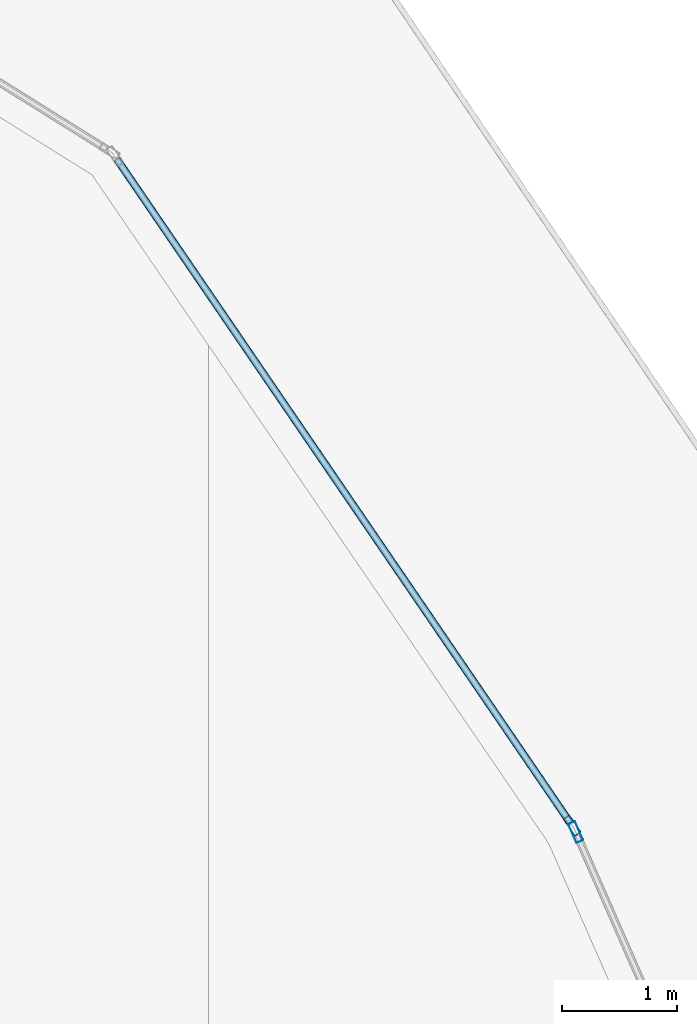
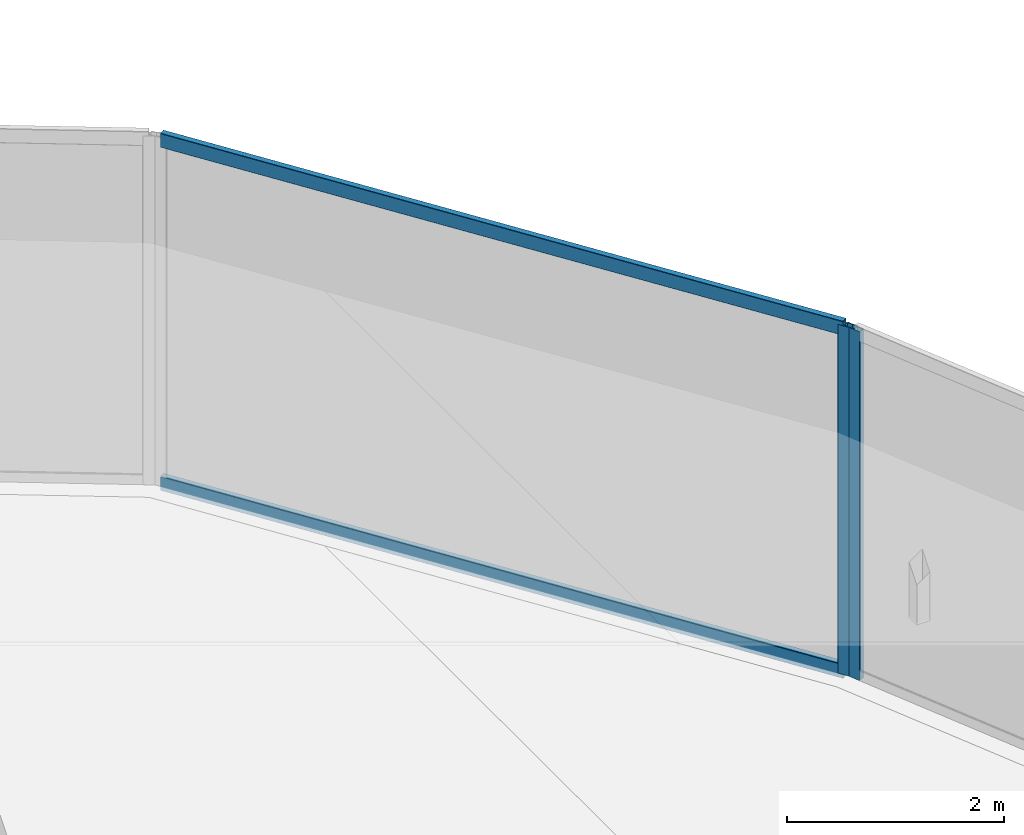
# One storey, part 24 of 45: 4 members, 2 elements without a shape of their own.
"""IFC4 building model written with IfcOpenShell, lengths in metres."""

from ifc_helpers import new_model, si_unit, direction, frame, origin, origin_2d, place, context, subcontext, project, spatial, hollow_rectangle, extrude, material, layer, layer_set, material_profile, profile_set, type_object, element, aggregate, save


model = new_model("IFC4")

# Units and contexts
model_context = context("Model", 3, precision=1e-05, world=origin(), true_north=direction((0.0, 1.0)))
body_context = subcontext(model_context, "Body", "Model", "MODEL_VIEW")
ifc_project = project(units=[si_unit("LENGTHUNIT", "METRE"), si_unit("AREAUNIT", "SQUARE_METRE"), si_unit("VOLUMEUNIT", "CUBIC_METRE"), si_unit("PLANEANGLEUNIT", "RADIAN"), si_unit("MASSUNIT", "GRAM", prefix="KILO")], contexts=[model_context])

# Site, building, storey
site_placement = place(None, origin())
site = spatial("IfcSite", under=ifc_project, at=site_placement, CompositionType="ELEMENT")
building_placement = place(site_placement, origin())
building = spatial("IfcBuilding", under=site, at=building_placement, Name="Qorvath Tower", CompositionType="ELEMENT")
storey_placement = place(building_placement, frame((0.0, 0.0, 91.199951171875)))
storey = spatial("IfcBuildingStorey", under=building, at=storey_placement, Name="L20", CompositionType="ELEMENT", Elevation=91.199951171875)

# Curtain wall, member
ifc_material_1 = material(Name="Anodised aluminium and triple low-E glass", Category="aluminium")
ifc_layer = layer(ifc_material_1, 0.179931640625)
ifc_layer_set = layer_set([ifc_layer], Name="CW-SYS-2")
curtain_wall_type = type_object("IfcCurtainWallType", Name="CW-SYS-2", PredefinedType="NOTDEFINED", material=ifc_layer_set)
curtain_wall_1_placement = place(storey_placement, origin())
curtain_wall_1 = element("IfcCurtainWall", 1, at=curtain_wall_1_placement, inside=storey, type_object=curtain_wall_type, Name="Curtain Wall CW-2 CW-T-L20-12.1", PredefinedType="NOTDEFINED")
ifc_material_2 = material(Name="Anodised aluminium 6063-T6", Category="aluminium")
ifc_material_profile_1 = material_profile(ifc_material_2, hollow_rectangle(XDim=0.06494140625, YDim=0.179931640625, WallThickness=0.00341796875, InnerFilletRadius=0.00341796875, OuterFilletRadius=0.007080078125, at=origin_2d()), Name="CWM 180x65")
ifc_profile_set_1 = profile_set([ifc_material_profile_1], Name="Anodised aluminium 6063-T6")
member_type_1 = type_object("IfcMemberType", Name="CWM-180", PredefinedType="MULLION", material=ifc_profile_set_1)
member_1_placement = place(storey_placement, frame((1.1357421875, 18.48828125, 0.0), z_axis=(0.0, 0.0, 1.0), x_axis=(-0.915869083062, -0.401477051262, 0.0)))
member_1 = element("IfcMember", 2, at=member_1_placement, type_object=member_type_1, Name="CW-2 mullion 2", PredefinedType="MULLION", context=body_context, shape_type="SweptSolid", body=[
    extrude(hollow_rectangle(XDim=0.06494140625, YDim=0.179931640625, WallThickness=0.00341796875, InnerFilletRadius=0.00341796875, OuterFilletRadius=0.007080078125, at=origin_2d()), origin(), (0.0, 0.0, 1.0), 3.920166015625),
])
aggregate(curtain_wall_1, [member_1])

# Curtain wall, members
curtain_wall_2_placement = place(storey_placement, origin())
curtain_wall_2 = element("IfcCurtainWall", 3, at=curtain_wall_2_placement, inside=storey, type_object=curtain_wall_type, Name="Curtain Wall CW-2 CW-T-L20-13.1", PredefinedType="NOTDEFINED")
member_2_placement = place(storey_placement, frame((1.104248046875, 18.544921875, 0.0), z_axis=(0.0, 0.0, 1.0), x_axis=(-0.825732659314, -0.564061676895, 0.0)))
member_2 = element("IfcMember", 4, at=member_2_placement, type_object=member_type_1, Name="CW-2 mullion 1", PredefinedType="MULLION", context=body_context, shape_type="SweptSolid", body=[
    extrude(hollow_rectangle(XDim=0.06494140625, YDim=0.179931640625, WallThickness=0.00341796875, InnerFilletRadius=0.00341796875, OuterFilletRadius=0.007080078125, at=origin_2d()), origin(), (0.0, 0.0, 1.0), 3.920166015625),
])
ifc_material_3 = material(Name="Anodised aluminium 6063-T6", Category="aluminium")
ifc_material_profile_2 = material_profile(ifc_material_3, hollow_rectangle(XDim=0.06494140625, YDim=0.159912109375, WallThickness=0.00341796875, InnerFilletRadius=0.00341796875, OuterFilletRadius=0.007080078125, at=origin_2d()), Name="CWT 160x65")
ifc_profile_set_2 = profile_set([ifc_material_profile_2], Name="Anodised aluminium 6063-T6")
member_type_2 = type_object("IfcMemberType", Name="CWT-160", PredefinedType="USERDEFINED", material=ifc_profile_set_2)
member_3_placement = place(storey_placement, frame((1.0859375, 18.57177734375, 0.032470703125), z_axis=(-0.56406593175, 0.825729752788, 0.0), x_axis=(-0.825729752788, -0.56406593175, 0.0)))
member_3 = element("IfcMember", 5, at=member_3_placement, type_object=member_type_2, Name="CW-2 transom 1.1", ObjectType="TRANSOM", PredefinedType="USERDEFINED", context=body_context, shape_type="SweptSolid", body=[
    extrude(hollow_rectangle(XDim=0.06494140625, YDim=0.159912109375, WallThickness=0.00341796875, InnerFilletRadius=0.00341796875, OuterFilletRadius=0.007080078125, at=origin_2d()), origin(), (0.0, 0.0, 1.0), 6.9697265625),
])
member_4_placement = place(storey_placement, frame((1.0859375, 18.57177734375, 3.8876953125), z_axis=(-0.56406593175, 0.825729752788, 0.0), x_axis=(-0.825729752788, -0.56406593175, 0.0)))
member_4 = element("IfcMember", 6, at=member_4_placement, type_object=member_type_2, Name="CW-2 transom 1.2", ObjectType="TRANSOM", PredefinedType="USERDEFINED", context=body_context, shape_type="SweptSolid", body=[
    extrude(hollow_rectangle(XDim=0.06494140625, YDim=0.159912109375, WallThickness=0.00341796875, InnerFilletRadius=0.00341796875, OuterFilletRadius=0.007080078125, at=origin_2d()), origin(), (0.0, 0.0, 1.0), 6.9697265625),
])
aggregate(curtain_wall_2, [member_2, member_3, member_4])

save(model, "model.ifc")
